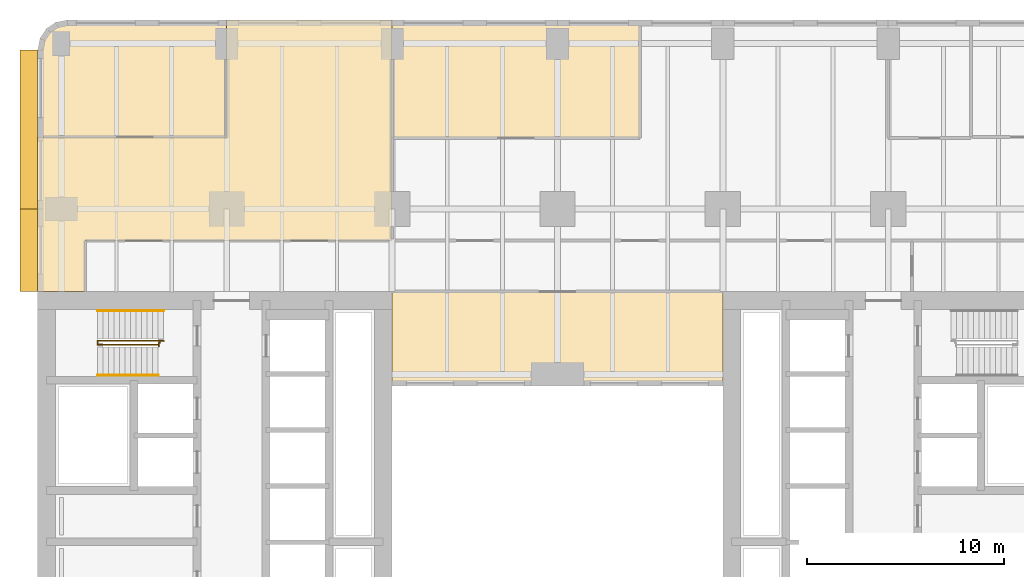
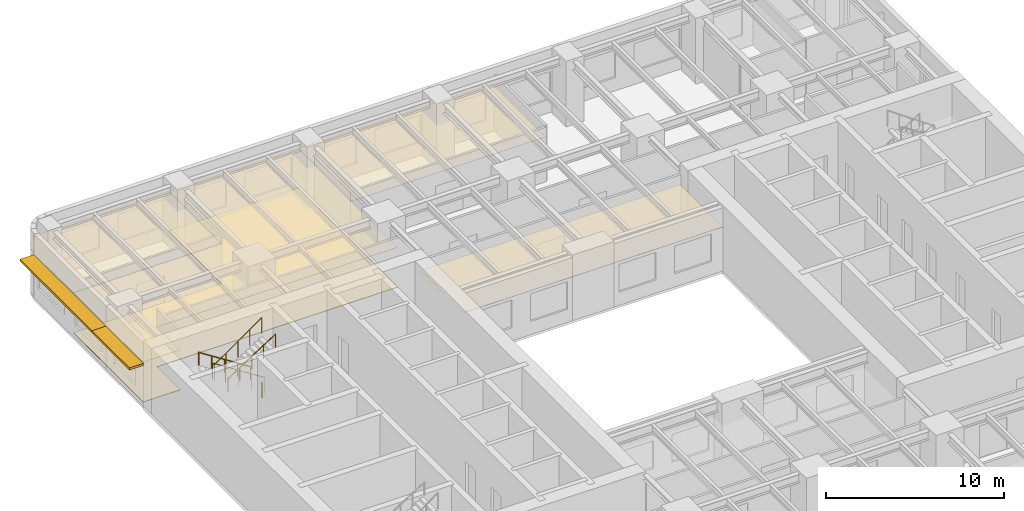
# One storey, part 11 of 12: 5 coverings, 4 railings, 2 shading devices.
"""IFC4 building model written with IfcOpenShell, lengths in metres."""

from ifc_helpers import new_model, si_unit, direction, frame, origin, origin_2d, place, context, subcontext, project, spatial, polyline, rectangle, circle, outline, extrude, material, layer, layer_set, type_object, element, save


model = new_model("IFC4")

# Units and contexts
model_context = context("Model", 3, precision=1e-05, world=origin(), true_north=direction((0.0, 1.0)))
body_context = subcontext(model_context, "Body", "Model", "MODEL_VIEW")
ifc_project = project(units=[si_unit("LENGTHUNIT", "METRE"), si_unit("AREAUNIT", "SQUARE_METRE"), si_unit("VOLUMEUNIT", "CUBIC_METRE"), si_unit("PLANEANGLEUNIT", "RADIAN"), si_unit("MASSUNIT", "GRAM", prefix="KILO")], contexts=[model_context])

# Site, building, storey
site_placement = place(None, origin())
site = spatial("IfcSite", under=ifc_project, at=site_placement, CompositionType="ELEMENT")
building_placement = place(site_placement, origin())
building = spatial("IfcBuilding", under=site, at=building_placement, Name="Claustro Exchange Tower", CompositionType="ELEMENT")
storey_placement = place(building_placement, frame((0.0, 0.0, 63.89990234375)))
storey = spatial("IfcBuildingStorey", under=building, at=storey_placement, Name="L14", CompositionType="ELEMENT", Elevation=63.89990234375)

# Coverings
ifc_material_1 = material(Name="Gypsum board ceiling", Category="gypsum board")
ifc_layer_1 = layer(ifc_material_1, 0.02490234375)
ifc_layer_set_1 = layer_set([ifc_layer_1], Name="Gypsum board ceiling")
covering_type_1 = type_object("IfcCoveringType", Name="CL2 plasterboard ceiling", PredefinedType="CEILING", material=ifc_layer_set_1)
covering_1_placement = place(storey_placement, frame((0.0, 0.0, 3.0)))
element("IfcCovering", 1, at=covering_1_placement, inside=storey, type_object=covering_type_1, Name="Ceiling CL2 L14-14", PredefinedType="CEILING", context=body_context, shape_type="SweptSolid", body=[
    extrude(outline(polyline([(33.60009765625, 33.0), (33.60009765625, 37.800048828125), (16.800048828125, 37.800048828125), (16.800048828125, 33.0), (33.60009765625, 33.0)])), origin(), (0.0, 0.0, 1.0), 0.025146484375),
])
covering_2_placement = place(storey_placement, frame((0.0, 0.0, 3.0)))
element("IfcCovering", 2, at=covering_2_placement, inside=storey, type_object=covering_type_1, Name="Ceiling CL2 L14-18", PredefinedType="CEILING", context=body_context, shape_type="SweptSolid", body=[
    extrude(outline(polyline([(-1.199951171875, 45.64990234375), (-1.199951171875, 37.800048828125), (1.199951171875, 37.800048828125), (1.199951171875, 40.39990234375), (16.800048828125, 40.39990234375), (16.800048828125, 45.60009765625), (16.800048828125, 51.60009765625), (8.39990234375, 51.60009765625), (8.39990234375, 45.64990234375), (-1.199951171875, 45.64990234375)])), origin(), (0.0, 0.0, 1.0), 0.025146484375),
])
covering_3_placement = place(storey_placement, frame((0.0, 0.0, 3.0)))
element("IfcCovering", 3, at=covering_3_placement, inside=storey, type_object=covering_type_1, Name="Ceiling CL2 L14-19", PredefinedType="CEILING", context=body_context, shape_type="SweptSolid", body=[
    extrude(outline(polyline([(-1.199951171875, 50.10009765625), (-1.199951171875, 45.64990234375), (8.39990234375, 45.64990234375), (8.39990234375, 51.60009765625), (0.300048828125, 51.60009765625), (-0.27392578125, 51.48583984375), (-0.7607421875, 51.16064453125), (-1.085693359375, 50.674072265625), (-1.199951171875, 50.10009765625)])), origin(), (0.0, 0.0, 1.0), 0.025146484375),
])
covering_4_placement = place(storey_placement, frame((0.0, 0.0, 3.0)))
element("IfcCovering", 4, at=covering_4_placement, inside=storey, type_object=covering_type_1, Name="Ceiling CL2 L14-20", PredefinedType="CEILING", context=body_context, shape_type="SweptSolid", body=[
    extrude(outline(polyline([(29.39990234375, 51.60009765625), (16.800048828125, 51.60009765625), (16.800048828125, 45.60009765625), (29.39990234375, 45.60009765625), (29.39990234375, 51.60009765625)])), origin(), (0.0, 0.0, 1.0), 0.025146484375),
])

# Railings
ifc_material_2 = material(Name="Steel balustrade, painted", Category="steel")
railing_type_1 = type_object("IfcRailingType", Name="GR2 1100 steel stair guard", PredefinedType="GUARDRAIL", material=ifc_material_2)
railing_1_placement = place(storey_placement, frame((5.199951171875, 35.300048828125, 0.18017578125)))
element("IfcRailing", 5, at=railing_1_placement, inside=storey, type_object=railing_type_1, Name="Stair well guard GR2 stair STWB L14", PredefinedType="GUARDRAIL", context=body_context, shape_type="SweptSolid", body=[
    extrude(circle(Radius=0.02392578125, at=origin_2d()), frame((0.0, 0.0, 1.076171875), z_axis=(-0.841178475377, 0.0, 0.540757591313), x_axis=(0.0, -1.0, 0.0)), (0.0, 0.0, 1.0), 3.994140625),
    extrude(circle(Radius=0.02392578125, at=origin_2d()), frame((-3.35986328125, 0.0, 3.23583984375), z_axis=(0.0, -1.0, 0.0), x_axis=(1.0, 0.0, 0.0)), (0.0, 0.0, 1.0), 0.199951171875),
    extrude(circle(Radius=0.02392578125, at=origin_2d()), frame((-3.35986328125, -0.199951171875, 3.23583984375), z_axis=(0.818728512145, 0.0, 0.574180828137), x_axis=(0.0, 1.0, 0.0)), (0.0, 0.0, 1.0), 3.76171875),
    extrude(circle(Radius=0.02099609375, at=origin_2d()), origin(), (0.0, 0.0, 1.0), 1.052001953125),
    extrude(circle(Radius=0.02099609375, at=origin_2d()), frame((-0.83984375, 0.0, 0.5400390625)), (0.0, 0.0, 1.0), 1.052001953125),
    extrude(circle(Radius=0.02099609375, at=origin_2d()), frame((-1.679931640625, 0.0, 1.080078125)), (0.0, 0.0, 1.0), 1.052001953125),
    extrude(circle(Radius=0.02099609375, at=origin_2d()), frame((-2.52001953125, 0.0, 1.619873046875)), (0.0, 0.0, 1.0), 1.052001953125),
    extrude(circle(Radius=0.02099609375, at=origin_2d()), frame((-3.35986328125, 0.0, 2.159912109375)), (0.0, 0.0, 1.0), 1.052001953125),
    extrude(circle(Radius=0.02099609375, at=origin_2d()), frame((-3.35986328125, -0.199951171875, 2.159912109375)), (0.0, 0.0, 1.0), 1.052001953125),
    extrude(circle(Radius=0.02099609375, at=origin_2d()), frame((-2.58984375, -0.199951171875, 2.699951171875)), (0.0, 0.0, 1.0), 1.052001953125),
    extrude(circle(Radius=0.02099609375, at=origin_2d()), frame((-1.81982421875, -0.199951171875, 3.23974609375)), (0.0, 0.0, 1.0), 1.052001953125),
    extrude(circle(Radius=0.02099609375, at=origin_2d()), frame((-1.050048828125, -0.199951171875, 3.77978515625)), (0.0, 0.0, 1.0), 1.052001953125),
    extrude(circle(Radius=0.02099609375, at=origin_2d()), frame((-0.280029296875, -0.199951171875, 4.31982421875)), (0.0, 0.0, 1.0), 1.052001953125),
])
railing_2_placement = place(storey_placement, frame((5.0, 35.22998046875, 0.0)))
element("IfcRailing", 6, at=railing_2_placement, inside=storey, type_object=railing_type_1, Name="Stair guard GR2 STWB L14", PredefinedType="GUARDRAIL", context=body_context, shape_type="SweptSolid", body=[
    extrude(circle(Radius=0.02392578125, at=origin_2d()), frame((0.0, 0.0, 1.076171875), z_axis=(0.0, -1.0, 0.0), x_axis=(1.0, 0.0, 0.0)), (0.0, 0.0, 1.0), 0.030029296875),
    extrude(circle(Radius=0.02392578125, at=origin_2d()), frame((0.0, -0.030029296875, 1.076171875), z_axis=(-1.0, 0.0, 0.0), x_axis=(0.0, -1.0, 0.0)), (0.0, 0.0, 1.0), 0.054931640625),
    extrude(circle(Radius=0.02392578125, at=origin_2d()), frame((-0.054931640625, -0.030029296875, 1.076171875), z_axis=(0.0, -1.0, 0.0), x_axis=(1.0, 0.0, 0.0)), (0.0, 0.0, 1.0), 0.179931640625),
    extrude(circle(Radius=0.02099609375, at=origin_2d()), origin(), (0.0, 0.0, 1.0), 1.052001953125),
    extrude(circle(Radius=0.02099609375, at=origin_2d()), frame((0.0, -0.030029296875, 0.0)), (0.0, 0.0, 1.0), 1.052001953125),
    extrude(circle(Radius=0.02099609375, at=origin_2d()), frame((-0.054931640625, -0.030029296875, 0.0)), (0.0, 0.0, 1.0), 1.052001953125),
    extrude(circle(Radius=0.02099609375, at=origin_2d()), frame((-0.054931640625, -0.2099609375, 0.0)), (0.0, 0.0, 1.0), 1.052001953125),
])
ifc_material_3 = material(Name="Stainless steel tube", Category="steel")
railing_type_2 = type_object("IfcRailingType", Name="HR1 900 stair handrail", PredefinedType="HANDRAIL", material=ifc_material_3)
railing_3_placement = place(storey_placement, frame((5.199951171875, 36.840087890625, 0.18017578125)))
element("IfcRailing", 7, at=railing_3_placement, inside=storey, type_object=railing_type_2, Name="Handrail HR1 stair STWB L14", PredefinedType="HANDRAIL", context=body_context, shape_type="SweptSolid", body=[
    extrude(circle(Radius=0.02392578125, at=origin_2d()), frame((0.0, 0.0, 0.8759765625), z_axis=(-0.841178475377, 0.0, 0.540757591313), x_axis=(0.0, -1.0, 0.0)), (0.0, 0.0, 1.0), 3.994140625),
    extrude(circle(Radius=0.02099609375, at=origin_2d()), origin(), (0.0, 0.0, 1.0), 0.851806640625),
    extrude(circle(Radius=0.02099609375, at=origin_2d()), frame((-0.83984375, 0.0, 0.5400390625)), (0.0, 0.0, 1.0), 0.851806640625),
    extrude(circle(Radius=0.02099609375, at=origin_2d()), frame((-1.679931640625, 0.0, 1.080078125)), (0.0, 0.0, 1.0), 0.851806640625),
    extrude(circle(Radius=0.02099609375, at=origin_2d()), frame((-2.52001953125, 0.0, 1.619873046875)), (0.0, 0.0, 1.0), 0.851806640625),
    extrude(circle(Radius=0.02099609375, at=origin_2d()), frame((-3.35986328125, 0.0, 2.159912109375)), (0.0, 0.0, 1.0), 0.851806640625),
])
railing_4_placement = place(storey_placement, frame((1.840087890625, 33.56005859375, 2.52001953125)))
element("IfcRailing", 8, at=railing_4_placement, inside=storey, type_object=railing_type_2, Name="Handrail HR1 stair STWB L14", PredefinedType="HANDRAIL", context=body_context, shape_type="SweptSolid", body=[
    extrude(circle(Radius=0.02392578125, at=origin_2d()), frame((0.0, 0.0, 0.8759765625), z_axis=(0.841167642724, 0.0, 0.540774441735), x_axis=(0.0, 1.0, 0.0)), (0.0, 0.0, 1.0), 3.661376953125),
    extrude(circle(Radius=0.02099609375, at=origin_2d()), origin(), (0.0, 0.0, 1.0), 0.851806640625),
    extrude(circle(Radius=0.02099609375, at=origin_2d()), frame((0.77001953125, 0.0, 0.4951171875)), (0.0, 0.0, 1.0), 0.851806640625),
    extrude(circle(Radius=0.02099609375, at=origin_2d()), frame((1.5400390625, 0.0, 0.989990234375)), (0.0, 0.0, 1.0), 0.851806640625),
    extrude(circle(Radius=0.02099609375, at=origin_2d()), frame((2.309814453125, 0.0, 1.48486328125)), (0.0, 0.0, 1.0), 0.851806640625),
    extrude(circle(Radius=0.02099609375, at=origin_2d()), frame((3.079833984375, 0.0, 1.97998046875)), (0.0, 0.0, 1.0), 0.851806640625),
])

# Covering
ifc_material_4 = material(Name="Steel-encased raised floor panels on pedestals", Category="steel")
ifc_layer_2 = layer(ifc_material_4, 0.0400390625)
ifc_layer_set_2 = layer_set([ifc_layer_2], Name="Steel-encased raised floor panels on pedestals")
covering_type_2 = type_object("IfcCoveringType", Name="RF1 300 raised access floor", PredefinedType="FLOORING", material=ifc_layer_set_2)
covering_5_placement = place(storey_placement, frame((0.0, 0.0, 0.260009765625)))
element("IfcCovering", 9, at=covering_5_placement, inside=storey, type_object=covering_type_2, Name="Raised access floor RF1 L14-18", PredefinedType="FLOORING", context=body_context, shape_type="SweptSolid", body=[
    extrude(outline(polyline([(-1.199951171875, 45.64990234375), (-1.199951171875, 37.800048828125), (1.199951171875, 37.800048828125), (1.199951171875, 40.39990234375), (16.800048828125, 40.39990234375), (16.800048828125, 45.60009765625), (16.800048828125, 51.60009765625), (8.39990234375, 51.60009765625), (8.39990234375, 45.64990234375), (-1.199951171875, 45.64990234375)])), origin(), (0.0, 0.0, 1.0), 0.0400390625),
])

# Shading devices
ifc_material_5 = material(Name="Concrete HA-40 (C40/50), precast, white cement, acid-etched", Category="concrete")
ifc_layer_3 = layer(ifc_material_5, 0.14990234375)
ifc_layer_set_3 = layer_set([ifc_layer_3], Name="Concrete HA-40 (C40/50), precast, white cement, acid-etched")
shading_device_type = type_object("IfcShadingDeviceType", Name="SS2 900 precast concrete SUNSHADE", PredefinedType="SHUTTER", material=ifc_layer_set_3)
shading_device_1_placement = place(storey_placement, frame((-1.64990234375, 39.89990234375, 2.800048828125), z_axis=(0.0, 0.0, 1.0), x_axis=(0.0, 1.0, 0.0)))
element("IfcShadingDevice", 10, at=shading_device_1_placement, inside=storey, type_object=shading_device_type, Name="Precast SUNSHADE SS2 L14", PredefinedType="SHUTTER", context=body_context, shape_type="SweptSolid", body=[
    extrude(rectangle(XDim=4.199951171875, YDim=0.89990234375, at=origin_2d()), origin(), (0.0, 0.0, 1.0), 0.14990234375),
])
shading_device_2_placement = place(storey_placement, frame((-1.64990234375, 46.04248046875, 2.800048828125), z_axis=(0.0, 0.0, 1.0), x_axis=(0.0, 1.0, 0.0)))
element("IfcShadingDevice", 11, at=shading_device_2_placement, inside=storey, type_object=shading_device_type, Name="Precast SUNSHADE SS2 L14", PredefinedType="SHUTTER", context=body_context, shape_type="SweptSolid", body=[
    extrude(rectangle(XDim=8.085205078125, YDim=0.89990234375, at=origin_2d()), origin(), (0.0, 0.0, 1.0), 0.14990234375),
])

save(model, "model.ifc")
